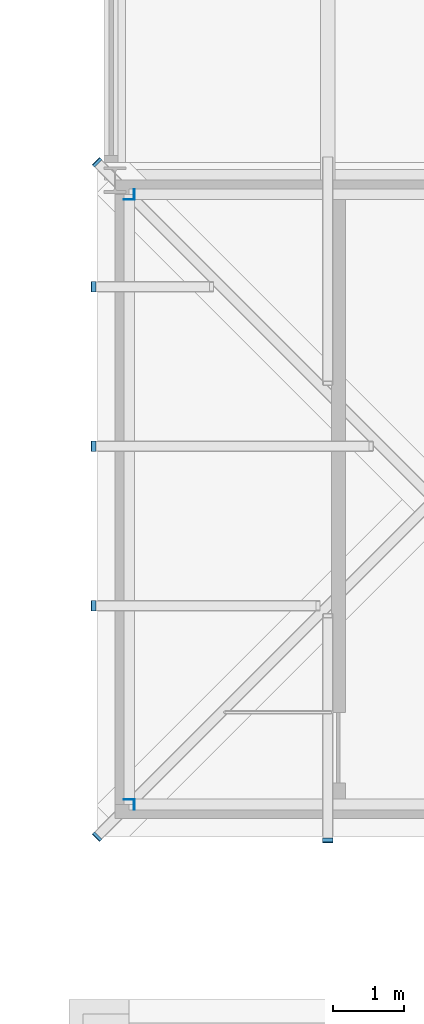
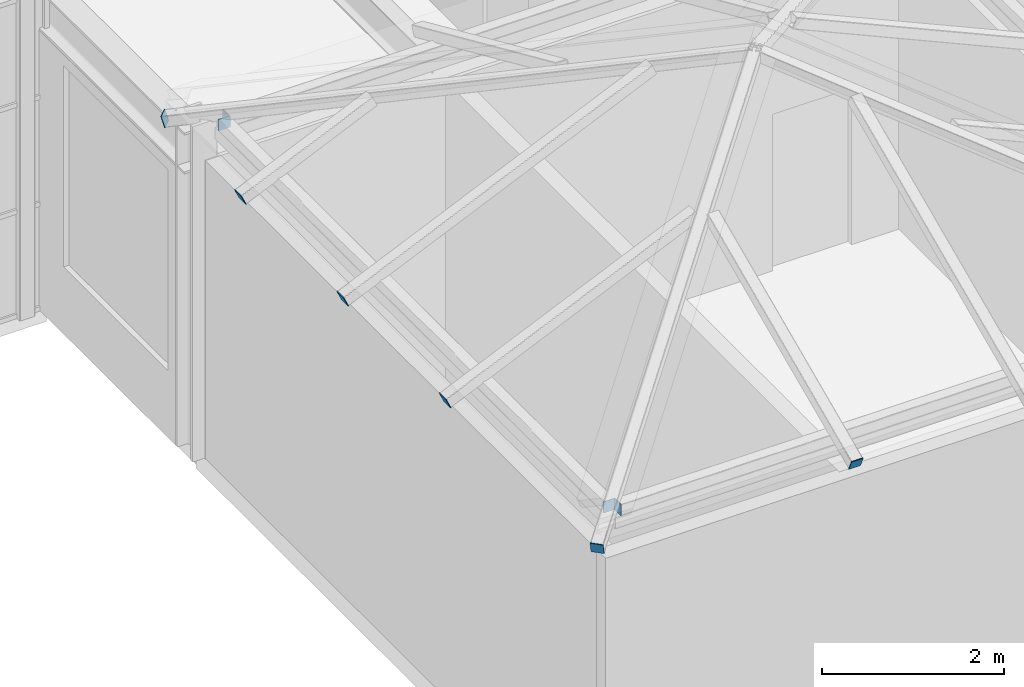
# One storey, part 105 of 149: 10 discrete accessories.
"""IFC4 building model written with IfcOpenShell, lengths in metres."""

from ifc_helpers import new_model, si_unit, direction, frame, origin, origin_2d, place, context, subcontext, project, spatial, rectangle, extrude, material, material_profile, profile_set, type_object, element, save


model = new_model("IFC4")

# Units and contexts
model_context = context("Model", 3, precision=1e-05, world=origin(), true_north=direction((0.0, 1.0)))
body_context = subcontext(model_context, "Body", "Model", "MODEL_VIEW")
ifc_project = project(units=[si_unit("LENGTHUNIT", "METRE"), si_unit("AREAUNIT", "SQUARE_METRE"), si_unit("VOLUMEUNIT", "CUBIC_METRE"), si_unit("PLANEANGLEUNIT", "RADIAN"), si_unit("MASSUNIT", "GRAM", prefix="KILO")], contexts=[model_context])

# Site, building, storey
site_placement = place(None, origin())
site = spatial("IfcSite", under=ifc_project, at=site_placement, CompositionType="ELEMENT")
building_placement = place(site_placement, origin())
building = spatial("IfcBuilding", under=site, at=building_placement, Name="Kallimachos Central Library", CompositionType="ELEMENT")
storey_placement = place(building_placement, frame((0.0, 0.0, 9.89990234375)))
storey = spatial("IfcBuildingStorey", under=building, at=storey_placement, Name="L02", CompositionType="ELEMENT", Elevation=9.89990234375)

# Discrete accessories
ifc_material = material(Name="Steel S355J2", Category="steel")
ifc_material_profile = material_profile(ifc_material, rectangle(XDim=0.14990234375, YDim=0.14990234375, at=origin_2d()), Name="End cap plate 10, 150x150")
ifc_profile_set = profile_set([ifc_material_profile], Name="Steel S355J2")
discrete_accessory_type = type_object("IfcDiscreteAccessoryType", Name="End cap plate 10, 150x150", PredefinedType="BRACKET", material=ifc_profile_set)
for number, where, z_axis, x_axis, name in (
    (1, (65.764892578125, 48.199951171875, 4.47509765625), (1.0, 0.0, 0.0), (0.0, 1.0, 0.0), "End cap plate"),
    (2, (65.764892578125, 56.800048828125, 4.47509765625), (1.0, 0.0, 0.0), (0.0, 1.0, 0.0), "End cap plate"),
    (3, (65.699951171875, 48.264892578125, 4.47509765625), (0.0, 1.0, 0.0), (-1.0, 0.0, 0.0), "End cap plate"),
    (4, (65.699951171875, 56.72509765625, 4.47509765625), (0.0, 1.0, 0.0), (-1.0, 0.0, 0.0), "End cap plate"),
    (5, (68.5, 47.69091796875, 4.405517578125), (0.0, 0.908676843963, 0.417500171551), (-1.0, 0.0, 0.0), "End cap plate"),
    (6, (65.19091796875, 51.0, 4.405517578125), (0.908676843963, 0.0, 0.417500171551), (0.0, 1.0, 0.0), "End cap plate"),
    (7, (65.19091796875, 53.25, 4.405517578125), (0.908676843963, 0.0, 0.417500171551), (0.0, 1.0, 0.0), "End cap plate"),
    (8, (65.19091796875, 55.5, 4.405517578125), (0.908676843963, 0.0, 0.417500171551), (0.0, 1.0, 0.0), "End cap plate"),
    (9, (65.2431640625, 47.7431640625, 4.378662109375), (0.676715542332, 0.676715542332, 0.290020946714), (-0.707106781187, 0.707106781187, 0.0), "End cap plate"),
    (10, (65.2431640625, 57.2568359375, 4.378662109375), (0.676715542332, -0.676715542332, 0.290020946714), (0.707106781187, 0.707106781187, 0.0), "End cap plate"),
):
    element("IfcDiscreteAccessory", number, at=place(storey_placement, frame(where, z_axis=z_axis, x_axis=x_axis)), inside=storey, type_object=discrete_accessory_type, Name=name, PredefinedType="BRACKET", context=body_context, shape_type="SweptSolid", body=[
        extrude(rectangle(XDim=0.14990234375, YDim=0.14990234375, at=origin_2d()), origin(), (0.0, 0.0, 1.0), 0.010009765625),
    ])

save(model, "model.ifc")
